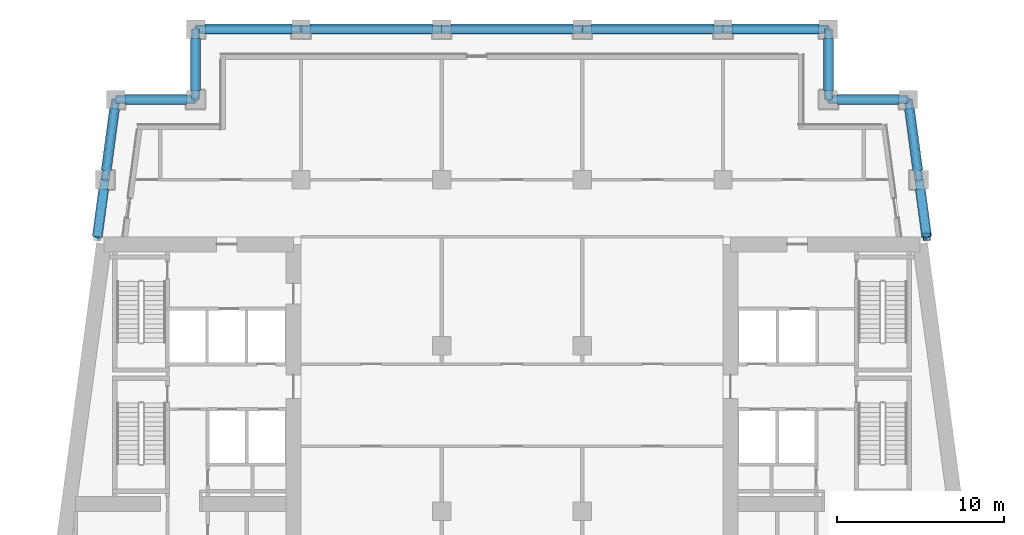
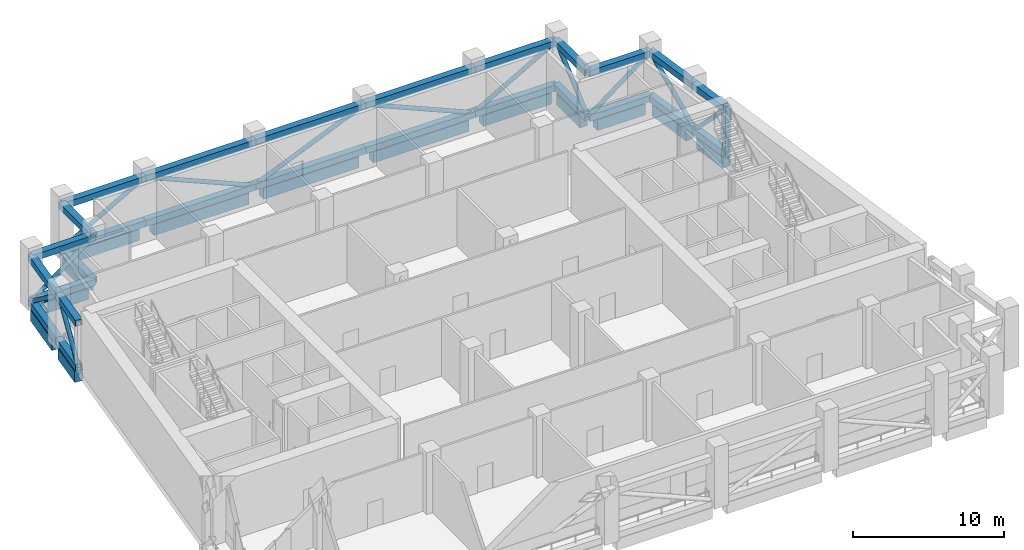
# One storey, part 3 of 12: 40 members, 13 beams.
"""IFC4 building model written with IfcOpenShell, lengths in metres."""

from ifc_helpers import new_model, si_unit, direction, frame, origin, origin_2d, place, context, subcontext, project, spatial, rectangle, hollow_rectangle, hollow_circle, extrude, material, material_profile, profile_set, type_object, element, save


model = new_model("IFC4")

# Units and contexts
model_context = context("Model", 3, precision=1e-05, world=origin(), true_north=direction((0.0, 1.0)))
body_context = subcontext(model_context, "Body", "Model", "MODEL_VIEW")
ifc_project = project(units=[si_unit("LENGTHUNIT", "METRE"), si_unit("AREAUNIT", "SQUARE_METRE"), si_unit("VOLUMEUNIT", "CUBIC_METRE"), si_unit("PLANEANGLEUNIT", "RADIAN"), si_unit("MASSUNIT", "GRAM", prefix="KILO")], contexts=[model_context])

# Site, building, storey
site_placement = place(None, origin())
site = spatial("IfcSite", under=ifc_project, at=site_placement, CompositionType="ELEMENT")
building_placement = place(site_placement, origin())
building = spatial("IfcBuilding", under=site, at=building_placement, Name="Candeia Pilgrim Tower and Theatre", CompositionType="ELEMENT")
storey_placement = place(building_placement, frame((0.0, 0.0, 197.199951171875)))
storey = spatial("IfcBuildingStorey", under=building, at=storey_placement, Name="L47", CompositionType="ELEMENT", Elevation=197.199951171875)

# Members
ifc_material_1 = material(Name="Structural steel ASTM A572 Grade 50", Category="steel")
ifc_material_profile_1 = material_profile(ifc_material_1, hollow_rectangle(XDim=0.39990234375, YDim=0.39990234375, WallThickness=0.02490234375, at=origin_2d()))
ifc_profile_set_1 = profile_set([ifc_material_profile_1], Name="Structural steel ASTM A572 Grade 50")
member_type_1 = type_object("IfcMemberType", Name="BOX 400x400x25 post", PredefinedType="POST", material=ifc_profile_set_1)
member_1_placement = place(storey_placement, frame((138.169189453125, 132.39990234375, 0.0), z_axis=(0.0, 0.0, 1.0), x_axis=(1.0, 0.0, 0.0)))
element("IfcMember", 1, at=member_1_placement, inside=storey, type_object=member_type_1, Name="Belt truss post TBL47", PredefinedType="POST", context=body_context, shape_type="SweptSolid", body=[
    extrude(hollow_rectangle(XDim=0.39990234375, YDim=0.39990234375, WallThickness=0.02490234375, at=origin_2d()), origin(), (0.0, 0.0, 1.0), 4.10009765625),
])
ifc_material_profile_2 = material_profile(ifc_material_1, hollow_rectangle(XDim=0.5, YDim=0.5, WallThickness=0.031982421875, at=origin_2d()))
ifc_profile_set_2 = profile_set([ifc_material_profile_2], Name="Structural steel ASTM A572 Grade 50")
member_type_2 = type_object("IfcMemberType", Name="BOX 500x500x32 chord", PredefinedType="CHORD", material=ifc_profile_set_2)
for number, where, z_axis, x_axis, name in (
    (2, (138.169189453125, 132.39990234375, 0.25), (-0.133426797477, 0.991058671177, 0.0), (-0.991058671177, -0.133426797477, 0.0), "Belt truss bottom chord TBL47"),
    (3, (138.169189453125, 132.39990234375, 3.85009765625), (-0.133426797477, 0.991058671177, 0.0), (-0.991058671177, -0.133426797477, 0.0), "Belt truss top chord TBL47"),
):
    element("IfcMember", number, at=place(storey_placement, frame(where, z_axis=z_axis, x_axis=x_axis)), inside=storey, type_object=member_type_2, Name=name, PredefinedType="CHORD", context=body_context, shape_type="SweptSolid", body=[
        extrude(hollow_rectangle(XDim=0.5, YDim=0.5, WallThickness=0.031982421875, at=origin_2d()), origin(), (0.0, 0.0, 1.0), 3.430908203125),
    ])
for number, where, z_axis, x_axis, name in (
    (4, (137.71142578125, 135.800048828125, 0.25), (-0.133378687709, 0.991065147034, 0.0), (-0.991065147034, -0.133378687709, 0.0), "Belt truss bottom chord TBL47"),
    (5, (137.71142578125, 135.800048828125, 3.85009765625), (-0.133378687709, 0.991065147034, 0.0), (-0.991065147034, -0.133378687709, 0.0), "Belt truss top chord TBL47"),
):
    element("IfcMember", number, at=place(storey_placement, frame(where, z_axis=z_axis, x_axis=x_axis)), inside=storey, type_object=member_type_2, Name=name, PredefinedType="CHORD", context=body_context, shape_type="SweptSolid", body=[
        extrude(hollow_rectangle(XDim=0.5, YDim=0.5, WallThickness=0.031982421875, at=origin_2d()), origin(), (0.0, 0.0, 1.0), 4.84326171875),
    ])
for number, where, z_axis, x_axis, name in (
    (6, (137.0654296875, 140.60009765625, 0.25), (-1.0, 0.0, 0.0), (0.0, -1.0, 0.0), "Belt truss bottom chord TBL47"),
    (7, (137.0654296875, 140.60009765625, 3.85009765625), (-1.0, 0.0, 0.0), (0.0, -1.0, 0.0), "Belt truss top chord TBL47"),
):
    element("IfcMember", number, at=place(storey_placement, frame(where, z_axis=z_axis, x_axis=x_axis)), inside=storey, type_object=member_type_2, Name=name, PredefinedType="CHORD", context=body_context, shape_type="SweptSolid", body=[
        extrude(hollow_rectangle(XDim=0.5, YDim=0.5, WallThickness=0.031982421875, at=origin_2d()), origin(), (0.0, 0.0, 1.0), 4.765380859375),
    ])
for number, where, z_axis, x_axis, name in (
    (8, (132.300048828125, 140.60009765625, 0.25), (0.0, 1.0, 0.0), (-1.0, 0.0, 0.0), "Belt truss bottom chord TBL47"),
    (9, (132.300048828125, 140.60009765625, 3.85009765625), (0.0, 1.0, 0.0), (-1.0, 0.0, 0.0), "Belt truss top chord TBL47"),
):
    element("IfcMember", number, at=place(storey_placement, frame(where, z_axis=z_axis, x_axis=x_axis)), inside=storey, type_object=member_type_2, Name=name, PredefinedType="CHORD", context=body_context, shape_type="SweptSolid", body=[
        extrude(hollow_rectangle(XDim=0.5, YDim=0.5, WallThickness=0.031982421875, at=origin_2d()), origin(), (0.0, 0.0, 1.0), 4.199951171875),
    ])
for number, where, z_axis, x_axis, name in (
    (10, (132.300048828125, 144.800048828125, 0.25), (-1.0, 0.0, 0.0), (0.0, -1.0, 0.0), "Belt truss bottom chord TBL47"),
    (11, (132.300048828125, 144.800048828125, 3.85009765625), (-1.0, 0.0, 0.0), (0.0, -1.0, 0.0), "Belt truss top chord TBL47"),
):
    element("IfcMember", number, at=place(storey_placement, frame(where, z_axis=z_axis, x_axis=x_axis)), inside=storey, type_object=member_type_2, Name=name, PredefinedType="CHORD", context=body_context, shape_type="SweptSolid", body=[
        extrude(hollow_rectangle(XDim=0.5, YDim=0.5, WallThickness=0.031982421875, at=origin_2d()), origin(), (0.0, 0.0, 1.0), 6.300048828125),
    ])
for number, where, z_axis, x_axis, name in (
    (12, (126.0, 144.800048828125, 0.25), (-1.0, 0.0, 0.0), (0.0, -1.0, 0.0), "Belt truss bottom chord TBL47"),
    (13, (126.0, 144.800048828125, 3.85009765625), (-1.0, 0.0, 0.0), (0.0, -1.0, 0.0), "Belt truss top chord TBL47"),
):
    element("IfcMember", number, at=place(storey_placement, frame(where, z_axis=z_axis, x_axis=x_axis)), inside=storey, type_object=member_type_2, Name=name, PredefinedType="CHORD", context=body_context, shape_type="SweptSolid", body=[
        extrude(hollow_rectangle(XDim=0.5, YDim=0.5, WallThickness=0.031982421875, at=origin_2d()), origin(), (0.0, 0.0, 1.0), 8.39990234375),
    ])
for number, where, z_axis, x_axis, name in (
    (14, (117.60009765625, 144.800048828125, 0.25), (-1.0, 0.0, 0.0), (0.0, -1.0, 0.0), "Belt truss bottom chord TBL47"),
    (15, (117.60009765625, 144.800048828125, 3.85009765625), (-1.0, 0.0, 0.0), (0.0, -1.0, 0.0), "Belt truss top chord TBL47"),
):
    element("IfcMember", number, at=place(storey_placement, frame(where, z_axis=z_axis, x_axis=x_axis)), inside=storey, type_object=member_type_2, Name=name, PredefinedType="CHORD", context=body_context, shape_type="SweptSolid", body=[
        extrude(hollow_rectangle(XDim=0.5, YDim=0.5, WallThickness=0.031982421875, at=origin_2d()), origin(), (0.0, 0.0, 1.0), 8.400146484375),
    ])
for number, where, z_axis, x_axis, name in (
    (16, (109.199951171875, 144.800048828125, 0.25), (-1.0, 0.0, 0.0), (0.0, -1.0, 0.0), "Belt truss bottom chord TBL47"),
    (17, (109.199951171875, 144.800048828125, 3.85009765625), (-1.0, 0.0, 0.0), (0.0, -1.0, 0.0), "Belt truss top chord TBL47"),
):
    element("IfcMember", number, at=place(storey_placement, frame(where, z_axis=z_axis, x_axis=x_axis)), inside=storey, type_object=member_type_2, Name=name, PredefinedType="CHORD", context=body_context, shape_type="SweptSolid", body=[
        extrude(hollow_rectangle(XDim=0.5, YDim=0.5, WallThickness=0.031982421875, at=origin_2d()), origin(), (0.0, 0.0, 1.0), 8.39990234375),
    ])
for number, where, z_axis, x_axis, name in (
    (18, (100.800048828125, 144.800048828125, 0.25), (-1.0, 0.0, 0.0), (0.0, -1.0, 0.0), "Belt truss bottom chord TBL47"),
    (19, (100.800048828125, 144.800048828125, 3.85009765625), (-1.0, 0.0, 0.0), (0.0, -1.0, 0.0), "Belt truss top chord TBL47"),
):
    element("IfcMember", number, at=place(storey_placement, frame(where, z_axis=z_axis, x_axis=x_axis)), inside=storey, type_object=member_type_2, Name=name, PredefinedType="CHORD", context=body_context, shape_type="SweptSolid", body=[
        extrude(hollow_rectangle(XDim=0.5, YDim=0.5, WallThickness=0.031982421875, at=origin_2d()), origin(), (0.0, 0.0, 1.0), 6.300048828125),
    ])
for number, where, z_axis, x_axis, name in (
    (20, (94.5, 144.800048828125, 0.25), (0.0, -1.0, 0.0), (1.0, 0.0, 0.0), "Belt truss bottom chord TBL47"),
    (21, (94.5, 144.800048828125, 3.85009765625), (0.0, -1.0, 0.0), (1.0, 0.0, 0.0), "Belt truss top chord TBL47"),
):
    element("IfcMember", number, at=place(storey_placement, frame(where, z_axis=z_axis, x_axis=x_axis)), inside=storey, type_object=member_type_2, Name=name, PredefinedType="CHORD", context=body_context, shape_type="SweptSolid", body=[
        extrude(hollow_rectangle(XDim=0.5, YDim=0.5, WallThickness=0.031982421875, at=origin_2d()), origin(), (0.0, 0.0, 1.0), 4.199951171875),
    ])
for number, where, z_axis, x_axis, name in (
    (22, (94.5, 140.60009765625, 0.25), (-1.0, 0.0, 0.0), (0.0, -1.0, 0.0), "Belt truss bottom chord TBL47"),
    (23, (94.5, 140.60009765625, 3.85009765625), (-1.0, 0.0, 0.0), (0.0, -1.0, 0.0), "Belt truss top chord TBL47"),
):
    element("IfcMember", number, at=place(storey_placement, frame(where, z_axis=z_axis, x_axis=x_axis)), inside=storey, type_object=member_type_2, Name=name, PredefinedType="CHORD", context=body_context, shape_type="SweptSolid", body=[
        extrude(hollow_rectangle(XDim=0.5, YDim=0.5, WallThickness=0.031982421875, at=origin_2d()), origin(), (0.0, 0.0, 1.0), 4.765380859375),
    ])
for number, where, z_axis, x_axis, name in (
    (24, (89.734619140625, 140.60009765625, 0.25), (-0.133428198131, -0.991058482605, 0.0), (0.991058482605, -0.133428198131, 0.0), "Belt truss bottom chord TBL47"),
    (25, (89.734619140625, 140.60009765625, 3.85009765625), (-0.133428198131, -0.991058482605, 0.0), (0.991058482605, -0.133428198131, 0.0), "Belt truss top chord TBL47"),
):
    element("IfcMember", number, at=place(storey_placement, frame(where, z_axis=z_axis, x_axis=x_axis)), inside=storey, type_object=member_type_2, Name=name, PredefinedType="CHORD", context=body_context, shape_type="SweptSolid", body=[
        extrude(hollow_rectangle(XDim=0.5, YDim=0.5, WallThickness=0.031982421875, at=origin_2d()), origin(), (0.0, 0.0, 1.0), 4.84326171875),
    ])
for number, where, z_axis, x_axis, name in (
    (26, (89.08837890625, 135.800048828125, 0.25), (-0.133356902381, -0.991068078685, 0.0), (0.991068078685, -0.133356902381, 0.0), "Belt truss bottom chord TBL47"),
    (27, (89.08837890625, 135.800048828125, 3.85009765625), (-0.133356902381, -0.991068078685, 0.0), (0.991068078685, -0.133356902381, 0.0), "Belt truss top chord TBL47"),
):
    element("IfcMember", number, at=place(storey_placement, frame(where, z_axis=z_axis, x_axis=x_axis)), inside=storey, type_object=member_type_2, Name=name, PredefinedType="CHORD", context=body_context, shape_type="SweptSolid", body=[
        extrude(hollow_rectangle(XDim=0.5, YDim=0.5, WallThickness=0.031982421875, at=origin_2d()), origin(), (0.0, 0.0, 1.0), 3.430908203125),
    ])
ifc_material_profile_3 = material_profile(ifc_material_1, hollow_circle(Radius=0.161865234375, WallThickness=0.012451171875, at=origin_2d()))
ifc_profile_set_3 = profile_set([ifc_material_profile_3], Name="Structural steel ASTM A572 Grade 50")
member_type_3 = type_object("IfcMemberType", Name="CHS 324x12.5 brace", PredefinedType="BRACE", material=ifc_profile_set_3)
member_2_placement = place(storey_placement, frame((137.71142578125, 135.800048828125, 0.25), z_axis=(0.092048839627, -0.683714234392, 0.723921167541), x_axis=(0.991058671177, 0.133426797477, 0.0)))
element("IfcMember", 28, at=member_2_placement, inside=storey, type_object=member_type_3, Name="Belt truss diagonal TBL47", PredefinedType="BRACE", context=body_context, shape_type="SweptSolid", body=[
    extrude(hollow_circle(Radius=0.161865234375, WallThickness=0.012451171875, at=origin_2d()), origin(), (0.0, 0.0, 1.0), 4.97314453125),
])
member_3_placement = place(storey_placement, frame((137.71142578125, 135.800048828125, 0.25), z_axis=(-0.107045636073, 0.795398431907, 0.596558937841), x_axis=(-0.991065147034, -0.133378687709, 0.0)))
element("IfcMember", 29, at=member_3_placement, inside=storey, type_object=member_type_3, Name="Belt truss diagonal TBL47", PredefinedType="BRACE", context=body_context, shape_type="SweptSolid", body=[
    extrude(hollow_circle(Radius=0.161865234375, WallThickness=0.012451171875, at=origin_2d()), origin(), (0.0, 0.0, 1.0), 6.03466796875),
])
member_4_placement = place(storey_placement, frame((132.300048828125, 140.60009765625, 0.25), z_axis=(0.797900528977, 0.0, 0.602789138803), x_axis=(0.0, 1.0, 0.0)))
element("IfcMember", 30, at=member_4_placement, inside=storey, type_object=member_type_3, Name="Belt truss diagonal TBL47", PredefinedType="BRACE", context=body_context, shape_type="SweptSolid", body=[
    extrude(hollow_circle(Radius=0.161865234375, WallThickness=0.012451171875, at=origin_2d()), origin(), (0.0, 0.0, 1.0), 5.972412109375),
])
member_5_placement = place(storey_placement, frame((132.300048828125, 140.60009765625, 0.25), z_axis=(0.0, 0.759244140748, 0.650805911728), x_axis=(-1.0, 0.0, 0.0)))
element("IfcMember", 31, at=member_5_placement, inside=storey, type_object=member_type_3, Name="Belt truss diagonal TBL47", PredefinedType="BRACE", context=body_context, shape_type="SweptSolid", body=[
    extrude(hollow_circle(Radius=0.161865234375, WallThickness=0.012451171875, at=origin_2d()), origin(), (0.0, 0.0, 1.0), 5.53173828125),
])
member_6_placement = place(storey_placement, frame((126.0, 144.800048828125, 0.25), z_axis=(0.868239001029, 0.0, 0.496146185203), x_axis=(0.0, 1.0, 0.0)))
element("IfcMember", 32, at=member_6_placement, inside=storey, type_object=member_type_3, Name="Belt truss diagonal TBL47", PredefinedType="BRACE", context=body_context, shape_type="SweptSolid", body=[
    extrude(hollow_circle(Radius=0.161865234375, WallThickness=0.012451171875, at=origin_2d()), origin(), (0.0, 0.0, 1.0), 7.256103515625),
])
member_7_placement = place(storey_placement, frame((126.0, 144.800048828125, 0.25), z_axis=(-0.919139502787, 0.0, 0.393932195201), x_axis=(0.0, -1.0, 0.0)))
element("IfcMember", 33, at=member_7_placement, inside=storey, type_object=member_type_3, Name="Belt truss diagonal TBL47", PredefinedType="BRACE", context=body_context, shape_type="SweptSolid", body=[
    extrude(hollow_circle(Radius=0.161865234375, WallThickness=0.012451171875, at=origin_2d()), origin(), (0.0, 0.0, 1.0), 9.138916015625),
])
member_8_placement = place(storey_placement, frame((109.199951171875, 144.800048828125, 0.25), z_axis=(0.919143648261, 0.0, 0.393922522663), x_axis=(0.0, 1.0, 0.0)))
element("IfcMember", 34, at=member_8_placement, inside=storey, type_object=member_type_3, Name="Belt truss diagonal TBL47", PredefinedType="BRACE", context=body_context, shape_type="SweptSolid", body=[
    extrude(hollow_circle(Radius=0.161865234375, WallThickness=0.012451171875, at=origin_2d()), origin(), (0.0, 0.0, 1.0), 9.13916015625),
])
member_9_placement = place(storey_placement, frame((109.199951171875, 144.800048828125, 0.25), z_axis=(-0.919139502787, 0.0, 0.393932195201), x_axis=(0.0, -1.0, 0.0)))
element("IfcMember", 35, at=member_9_placement, inside=storey, type_object=member_type_3, Name="Belt truss diagonal TBL47", PredefinedType="BRACE", context=body_context, shape_type="SweptSolid", body=[
    extrude(hollow_circle(Radius=0.161865234375, WallThickness=0.012451171875, at=origin_2d()), origin(), (0.0, 0.0, 1.0), 9.138916015625),
])
member_10_placement = place(storey_placement, frame((94.5, 144.800048828125, 0.25), z_axis=(0.868239001029, 0.0, 0.496146185203), x_axis=(0.0, 1.0, 0.0)))
element("IfcMember", 36, at=member_10_placement, inside=storey, type_object=member_type_3, Name="Belt truss diagonal TBL47", PredefinedType="BRACE", context=body_context, shape_type="SweptSolid", body=[
    extrude(hollow_circle(Radius=0.161865234375, WallThickness=0.012451171875, at=origin_2d()), origin(), (0.0, 0.0, 1.0), 7.256103515625),
])
member_11_placement = place(storey_placement, frame((94.5, 144.800048828125, 0.25), z_axis=(0.0, -0.759244140748, 0.650805911728), x_axis=(1.0, 0.0, 0.0)))
element("IfcMember", 37, at=member_11_placement, inside=storey, type_object=member_type_3, Name="Belt truss diagonal TBL47", PredefinedType="BRACE", context=body_context, shape_type="SweptSolid", body=[
    extrude(hollow_circle(Radius=0.161865234375, WallThickness=0.012451171875, at=origin_2d()), origin(), (0.0, 0.0, 1.0), 5.53173828125),
])
member_12_placement = place(storey_placement, frame((89.734619140625, 140.60009765625, 0.25), z_axis=(0.797900528977, 0.0, 0.602789138803), x_axis=(0.0, 1.0, 0.0)))
element("IfcMember", 38, at=member_12_placement, inside=storey, type_object=member_type_3, Name="Belt truss diagonal TBL47", PredefinedType="BRACE", context=body_context, shape_type="SweptSolid", body=[
    extrude(hollow_circle(Radius=0.161865234375, WallThickness=0.012451171875, at=origin_2d()), origin(), (0.0, 0.0, 1.0), 5.972412109375),
])
member_13_placement = place(storey_placement, frame((89.734619140625, 140.60009765625, 0.25), z_axis=(-0.107085627886, -0.795394986726, 0.596556353912), x_axis=(0.991058482605, -0.133428198131, 0.0)))
element("IfcMember", 39, at=member_13_placement, inside=storey, type_object=member_type_3, Name="Belt truss diagonal TBL47", PredefinedType="BRACE", context=body_context, shape_type="SweptSolid", body=[
    extrude(hollow_circle(Radius=0.161865234375, WallThickness=0.012451171875, at=origin_2d()), origin(), (0.0, 0.0, 1.0), 6.034912109375),
])
member_14_placement = place(storey_placement, frame((88.630859375, 132.39990234375, 0.25), z_axis=(0.092000162545, 0.683717323244, 0.723924438038), x_axis=(-0.991068078685, 0.133356902381, 0.0)))
element("IfcMember", 40, at=member_14_placement, inside=storey, type_object=member_type_3, Name="Belt truss diagonal TBL47", PredefinedType="BRACE", context=body_context, shape_type="SweptSolid", body=[
    extrude(hollow_circle(Radius=0.161865234375, WallThickness=0.012451171875, at=origin_2d()), origin(), (0.0, 0.0, 1.0), 4.97314453125),
])

# Beams
ifc_material_2 = material(Name="Concrete C60/75", Category="concrete")
ifc_material_profile_4 = material_profile(ifc_material_2, rectangle(XDim=0.60009765625, YDim=0.89990234375, at=origin_2d()))
ifc_profile_set_4 = profile_set([ifc_material_profile_4], Name="Concrete C60/75")
beam_type = type_object("IfcBeamType", Name="RC 600x900 C60/75", PredefinedType="BEAM", material=ifc_profile_set_4)
beam_1_placement = place(storey_placement, frame((138.169189453125, 132.39990234375, -0.449951171875), z_axis=(-0.133370319951, 0.99106627314, 0.0), x_axis=(-0.99106627314, -0.133370319951, 0.0)))
element("IfcBeam", 41, at=beam_1_placement, inside=storey, type_object=beam_type, Name="Spandrel beam L47-12", PredefinedType="BEAM", context=body_context, shape_type="SweptSolid", body=[
    extrude(rectangle(XDim=0.60009765625, YDim=0.89990234375, at=origin_2d()), origin(), (0.0, 0.0, 1.0), 2.875732421875),
])
beam_2_placement = place(storey_placement, frame((137.637451171875, 136.35009765625, -0.449951171875), z_axis=(-0.133405836075, 0.991061492997, 0.0), x_axis=(-0.991061492997, -0.133405836075, 0.0)))
element("IfcBeam", 42, at=beam_2_placement, inside=storey, type_object=beam_type, Name="Spandrel beam L47-13", PredefinedType="BEAM", context=body_context, shape_type="SweptSolid", body=[
    extrude(rectangle(XDim=0.60009765625, YDim=0.89990234375, at=origin_2d()), origin(), (0.0, 0.0, 1.0), 3.7333984375),
])
beam_3_placement = place(storey_placement, frame((136.515380859375, 140.60009765625, -0.449951171875), z_axis=(-1.0, 0.0, 0.0), x_axis=(0.0, -1.0, 0.0)))
element("IfcBeam", 43, at=beam_3_placement, inside=storey, type_object=beam_type, Name="Spandrel beam L47-14", PredefinedType="BEAM", context=body_context, shape_type="SweptSolid", body=[
    extrude(rectangle(XDim=0.60009765625, YDim=0.89990234375, at=origin_2d()), origin(), (0.0, 0.0, 1.0), 3.665283203125),
])
beam_4_placement = place(storey_placement, frame((132.300048828125, 141.14990234375, -0.449951171875), z_axis=(0.0, 1.0, 0.0), x_axis=(-1.0, 0.0, 0.0)))
element("IfcBeam", 44, at=beam_4_placement, inside=storey, type_object=beam_type, Name="Spandrel beam L47-15", PredefinedType="BEAM", context=body_context, shape_type="SweptSolid", body=[
    extrude(rectangle(XDim=0.60009765625, YDim=0.89990234375, at=origin_2d()), origin(), (0.0, 0.0, 1.0), 3.10009765625),
])
beam_5_placement = place(storey_placement, frame((131.75, 144.800048828125, -0.449951171875), z_axis=(-1.0, 0.0, 0.0), x_axis=(0.0, -1.0, 0.0)))
element("IfcBeam", 45, at=beam_5_placement, inside=storey, type_object=beam_type, Name="Spandrel beam L47-16", PredefinedType="BEAM", context=body_context, shape_type="SweptSolid", body=[
    extrude(rectangle(XDim=0.60009765625, YDim=0.89990234375, at=origin_2d()), origin(), (0.0, 0.0, 1.0), 5.199951171875),
])
for number, where, z_axis, x_axis, name in (
    (46, (125.449951171875, 144.800048828125, -0.449951171875), (-1.0, 0.0, 0.0), (0.0, -1.0, 0.0), "Spandrel beam L47-17"),
    (47, (117.050048828125, 144.800048828125, -0.449951171875), (-1.0, 0.0, 0.0), (0.0, -1.0, 0.0), "Spandrel beam L47-18"),
):
    element("IfcBeam", number, at=place(storey_placement, frame(where, z_axis=z_axis, x_axis=x_axis)), inside=storey, type_object=beam_type, Name=name, PredefinedType="BEAM", context=body_context, shape_type="SweptSolid", body=[
        extrude(rectangle(XDim=0.60009765625, YDim=0.89990234375, at=origin_2d()), origin(), (0.0, 0.0, 1.0), 7.300048828125),
    ])
beam_6_placement = place(storey_placement, frame((108.64990234375, 144.800048828125, -0.449951171875), z_axis=(-1.0, 0.0, 0.0), x_axis=(0.0, -1.0, 0.0)))
element("IfcBeam", 48, at=beam_6_placement, inside=storey, type_object=beam_type, Name="Spandrel beam L47-19", PredefinedType="BEAM", context=body_context, shape_type="SweptSolid", body=[
    extrude(rectangle(XDim=0.60009765625, YDim=0.89990234375, at=origin_2d()), origin(), (0.0, 0.0, 1.0), 7.2998046875),
])
beam_7_placement = place(storey_placement, frame((100.25, 144.800048828125, -0.449951171875), z_axis=(-1.0, 0.0, 0.0), x_axis=(0.0, -1.0, 0.0)))
element("IfcBeam", 49, at=beam_7_placement, inside=storey, type_object=beam_type, Name="Spandrel beam L47-20", PredefinedType="BEAM", context=body_context, shape_type="SweptSolid", body=[
    extrude(rectangle(XDim=0.60009765625, YDim=0.89990234375, at=origin_2d()), origin(), (0.0, 0.0, 1.0), 5.199951171875),
])
beam_8_placement = place(storey_placement, frame((94.5, 144.25, -0.449951171875), z_axis=(0.0, -1.0, 0.0), x_axis=(1.0, 0.0, 0.0)))
element("IfcBeam", 50, at=beam_8_placement, inside=storey, type_object=beam_type, Name="Spandrel beam L47-21", PredefinedType="BEAM", context=body_context, shape_type="SweptSolid", body=[
    extrude(rectangle(XDim=0.60009765625, YDim=0.89990234375, at=origin_2d()), origin(), (0.0, 0.0, 1.0), 3.10009765625),
])
beam_9_placement = place(storey_placement, frame((93.949951171875, 140.60009765625, -0.449951171875), z_axis=(-1.0, 0.0, 0.0), x_axis=(0.0, -1.0, 0.0)))
element("IfcBeam", 51, at=beam_9_placement, inside=storey, type_object=beam_type, Name="Spandrel beam L47-22", PredefinedType="BEAM", context=body_context, shape_type="SweptSolid", body=[
    extrude(rectangle(XDim=0.60009765625, YDim=0.89990234375, at=origin_2d()), origin(), (0.0, 0.0, 1.0), 3.665283203125),
])
beam_10_placement = place(storey_placement, frame((89.66064453125, 140.050048828125, -0.449951171875), z_axis=(-0.133405836075, -0.991061492997, 0.0), x_axis=(0.991061492997, -0.133405836075, 0.0)))
element("IfcBeam", 52, at=beam_10_placement, inside=storey, type_object=beam_type, Name="Spandrel beam L47-23", PredefinedType="BEAM", context=body_context, shape_type="SweptSolid", body=[
    extrude(rectangle(XDim=0.60009765625, YDim=0.89990234375, at=origin_2d()), origin(), (0.0, 0.0, 1.0), 3.7333984375),
])
beam_11_placement = place(storey_placement, frame((89.014404296875, 135.25, -0.449951171875), z_axis=(-0.133370319951, -0.99106627314, 0.0), x_axis=(0.99106627314, -0.133370319951, 0.0)))
element("IfcBeam", 53, at=beam_11_placement, inside=storey, type_object=beam_type, Name="Spandrel beam L47-24", PredefinedType="BEAM", context=body_context, shape_type="SweptSolid", body=[
    extrude(rectangle(XDim=0.60009765625, YDim=0.89990234375, at=origin_2d()), origin(), (0.0, 0.0, 1.0), 2.875732421875),
])

save(model, "model.ifc")
